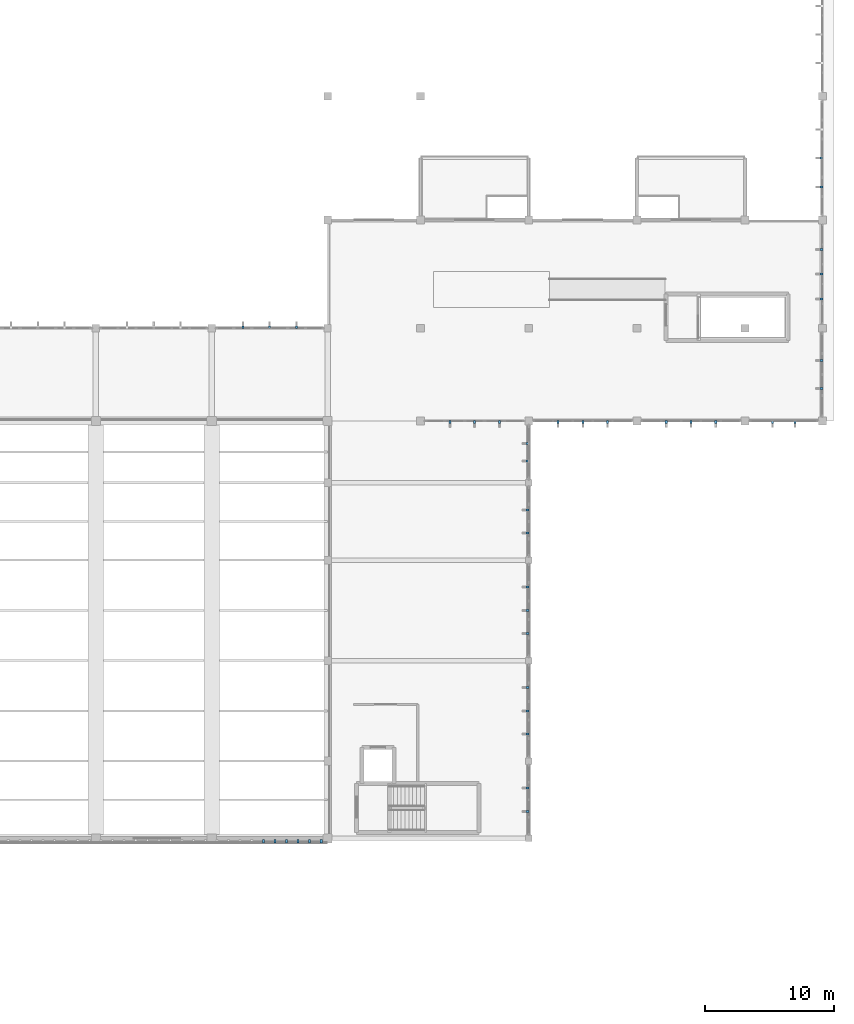
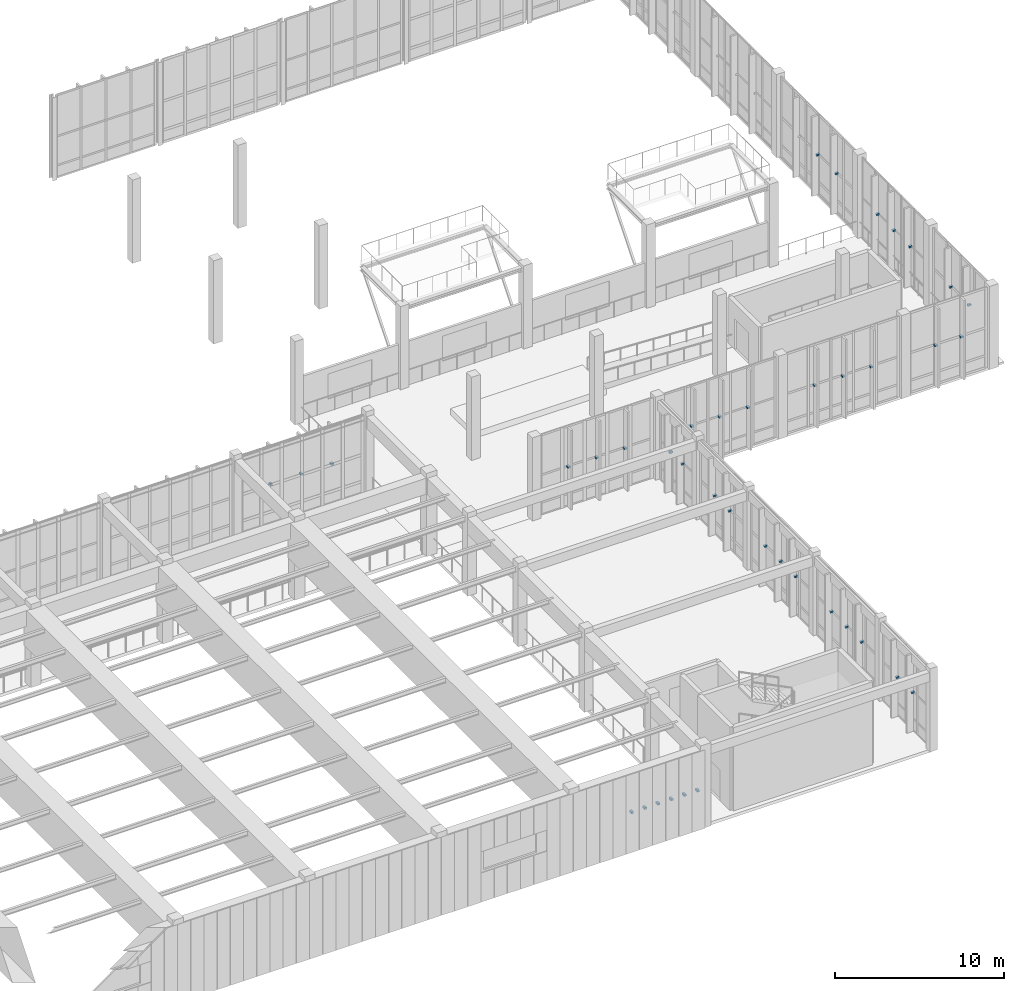
# One storey, part 86 of 105: 39 discrete accessories.
"""IFC4 building model written with IfcOpenShell, lengths in metres."""

from ifc_helpers import new_model, si_unit, direction, frame, origin, origin_2d, place, context, subcontext, project, spatial, rectangle, extrude, material, type_object, element, save


model = new_model("IFC4")

# Units and contexts
model_context = context("Model", 3, precision=1e-05, world=origin(), true_north=direction((0.0, 1.0)))
body_context = subcontext(model_context, "Body", "Model", "MODEL_VIEW")
ifc_project = project(units=[si_unit("LENGTHUNIT", "METRE"), si_unit("AREAUNIT", "SQUARE_METRE"), si_unit("VOLUMEUNIT", "CUBIC_METRE"), si_unit("PLANEANGLEUNIT", "RADIAN"), si_unit("MASSUNIT", "GRAM", prefix="KILO")], contexts=[model_context])

# Site, building, storey
site_placement = place(None, origin())
site = spatial("IfcSite", under=ifc_project, at=site_placement, CompositionType="ELEMENT")
building_placement = place(site_placement, origin())
building = spatial("IfcBuilding", under=site, at=building_placement, Name="Tizgana Railside Sports Hall", CompositionType="ELEMENT")
storey_placement = place(building_placement, frame((0.0, 0.0, 6.0)))
storey = spatial("IfcBuildingStorey", under=building, at=storey_placement, Name="L01", CompositionType="ELEMENT", Elevation=6.0)

# Discrete accessories
ifc_material = material(Name="Steel S355J2", Category="steel")
discrete_accessory_type = type_object("IfcDiscreteAccessoryType", Name="Stainless Facade Support Bracket", PredefinedType="BRACKET", material=ifc_material)
for number, where, z_axis, x_axis, name in (
    (1, (133.30029296875, 40.580078125, 2.72509765625), (0.0, 0.0, 1.0), (-1.0, 0.0, 0.0), "L01 Screen Bracket"),
    (2, (132.400634765625, 40.580078125, 2.72509765625), (0.0, 0.0, 1.0), (-1.0, 0.0, 0.0), "L01 Screen Bracket"),
    (3, (131.501220703125, 40.580078125, 2.72509765625), (0.0, 0.0, 1.0), (-1.0, 0.0, 0.0), "L01 Screen Bracket"),
    (4, (130.601806640625, 40.580078125, 2.72509765625), (0.0, 0.0, 1.0), (-1.0, 0.0, 0.0), "L01 Screen Bracket"),
    (5, (129.7021484375, 40.580078125, 2.72509765625), (0.0, 0.0, 1.0), (-1.0, 0.0, 0.0), "L01 Screen Bracket"),
    (6, (128.802734375, 40.580078125, 2.72509765625), (0.0, 0.0, 1.0), (-1.0, 0.0, 0.0), "L01 Screen Bracket"),
):
    element("IfcDiscreteAccessory", number, at=place(storey_placement, frame(where, z_axis=z_axis, x_axis=x_axis)), inside=storey, type_object=discrete_accessory_type, Name=name, PredefinedType="BRACKET", context=body_context, shape_type="SweptSolid", body=[
        extrude(rectangle(XDim=0.159912109375, YDim=0.25, at=origin_2d()), origin(), (0.0, 0.0, 1.0), 0.139892578125),
    ])
for number, where, z_axis, x_axis, name in (
    (7, (127.215087890625, 80.47998046875, 2.760009765625), (0.0, 0.0, 1.0), (1.0, 0.0, 0.0), "L01 Fin Bracket"),
    (8, (129.300048828125, 80.47998046875, 2.760009765625), (0.0, 0.0, 1.0), (1.0, 0.0, 0.0), "L01 Fin Bracket"),
    (9, (131.385009765625, 80.47998046875, 2.760009765625), (0.0, 0.0, 1.0), (1.0, 0.0, 0.0), "L01 Fin Bracket"),
    (10, (149.320068359375, 42.901611328125, 2.784912109375), (0.0, 0.0, 1.0), (0.0, 1.0, 0.0), "L01 Fin Bracket"),
    (11, (149.320068359375, 44.6982421875, 2.784912109375), (0.0, 0.0, 1.0), (0.0, 1.0, 0.0), "L01 Fin Bracket"),
    (12, (149.320068359375, 48.902587890625, 2.784912109375), (0.0, 0.0, 1.0), (0.0, 1.0, 0.0), "L01 Fin Bracket"),
    (13, (149.320068359375, 50.699951171875, 2.784912109375), (0.0, 0.0, 1.0), (0.0, 1.0, 0.0), "L01 Fin Bracket"),
    (14, (149.320068359375, 52.49755859375, 2.784912109375), (0.0, 0.0, 1.0), (0.0, 1.0, 0.0), "L01 Fin Bracket"),
    (15, (149.320068359375, 56.702392578125, 2.784912109375), (0.0, 0.0, 1.0), (0.0, 1.0, 0.0), "L01 Fin Bracket"),
    (16, (149.320068359375, 58.5, 2.784912109375), (0.0, 0.0, 1.0), (0.0, 1.0, 0.0), "L01 Fin Bracket"),
    (17, (149.320068359375, 60.297607421875, 2.784912109375), (0.0, 0.0, 1.0), (0.0, 1.0, 0.0), "L01 Fin Bracket"),
    (18, (149.320068359375, 64.501708984375, 2.784912109375), (0.0, 0.0, 1.0), (0.0, 1.0, 0.0), "L01 Fin Bracket"),
    (19, (149.320068359375, 66.29833984375, 2.784912109375), (0.0, 0.0, 1.0), (0.0, 1.0, 0.0), "L01 Fin Bracket"),
    (20, (149.320068359375, 70.0849609375, 2.784912109375), (0.0, 0.0, 1.0), (0.0, 1.0, 0.0), "L01 Fin Bracket"),
    (21, (149.320068359375, 71.465087890625, 2.784912109375), (0.0, 0.0, 1.0), (0.0, 1.0, 0.0), "L01 Fin Bracket"),
    (22, (172.1201171875, 75.71826171875, 2.83984375), (0.0, 0.0, 1.0), (0.0, 1.0, 0.0), "L01 Fin Bracket"),
    (23, (172.1201171875, 77.881591796875, 2.83984375), (0.0, 0.0, 1.0), (0.0, 1.0, 0.0), "L01 Fin Bracket"),
    (24, (172.1201171875, 82.677490234375, 2.83984375), (0.0, 0.0, 1.0), (0.0, 1.0, 0.0), "L01 Fin Bracket"),
    (25, (172.1201171875, 84.60009765625, 2.83984375), (0.0, 0.0, 1.0), (0.0, 1.0, 0.0), "L01 Fin Bracket"),
    (26, (172.1201171875, 86.5224609375, 2.83984375), (0.0, 0.0, 1.0), (0.0, 1.0, 0.0), "L01 Fin Bracket"),
    (27, (172.1201171875, 91.37744140625, 2.83984375), (0.0, 0.0, 1.0), (0.0, 1.0, 0.0), "L01 Fin Bracket"),
    (28, (172.1201171875, 93.60009765625, 2.83984375), (0.0, 0.0, 1.0), (0.0, 1.0, 0.0), "L01 Fin Bracket"),
    (29, (147.12255859375, 73.1201171875, 2.83984375), (0.0, 0.0, 1.0), (-1.0, 0.0, 0.0), "L01 Fin Bracket"),
    (30, (145.199951171875, 73.1201171875, 2.83984375), (0.0, 0.0, 1.0), (-1.0, 0.0, 0.0), "L01 Fin Bracket"),
    (31, (143.277587890625, 73.1201171875, 2.83984375), (0.0, 0.0, 1.0), (-1.0, 0.0, 0.0), "L01 Fin Bracket"),
    (32, (155.5224609375, 73.1201171875, 2.83984375), (0.0, 0.0, 1.0), (-1.0, 0.0, 0.0), "L01 Fin Bracket"),
    (33, (153.60009765625, 73.1201171875, 2.83984375), (0.0, 0.0, 1.0), (-1.0, 0.0, 0.0), "L01 Fin Bracket"),
    (34, (151.677490234375, 73.1201171875, 2.83984375), (0.0, 0.0, 1.0), (-1.0, 0.0, 0.0), "L01 Fin Bracket"),
    (35, (163.922607421875, 73.1201171875, 2.83984375), (0.0, 0.0, 1.0), (-1.0, 0.0, 0.0), "L01 Fin Bracket"),
    (36, (162.0, 73.1201171875, 2.83984375), (0.0, 0.0, 1.0), (-1.0, 0.0, 0.0), "L01 Fin Bracket"),
    (37, (160.077392578125, 73.1201171875, 2.83984375), (0.0, 0.0, 1.0), (-1.0, 0.0, 0.0), "L01 Fin Bracket"),
    (38, (170.081787109375, 73.1201171875, 2.83984375), (0.0, 0.0, 1.0), (-1.0, 0.0, 0.0), "L01 Fin Bracket"),
    (39, (168.318359375, 73.1201171875, 2.83984375), (0.0, 0.0, 1.0), (-1.0, 0.0, 0.0), "L01 Fin Bracket"),
):
    element("IfcDiscreteAccessory", number, at=place(storey_placement, frame(where, z_axis=z_axis, x_axis=x_axis)), inside=storey, type_object=discrete_accessory_type, Name=name, PredefinedType="BRACKET", context=body_context, shape_type="SweptSolid", body=[
        extrude(rectangle(XDim=0.159912109375, YDim=0.219970703125, at=origin_2d()), origin(), (0.0, 0.0, 1.0), 0.1201171875),
    ])

save(model, "model.ifc")
